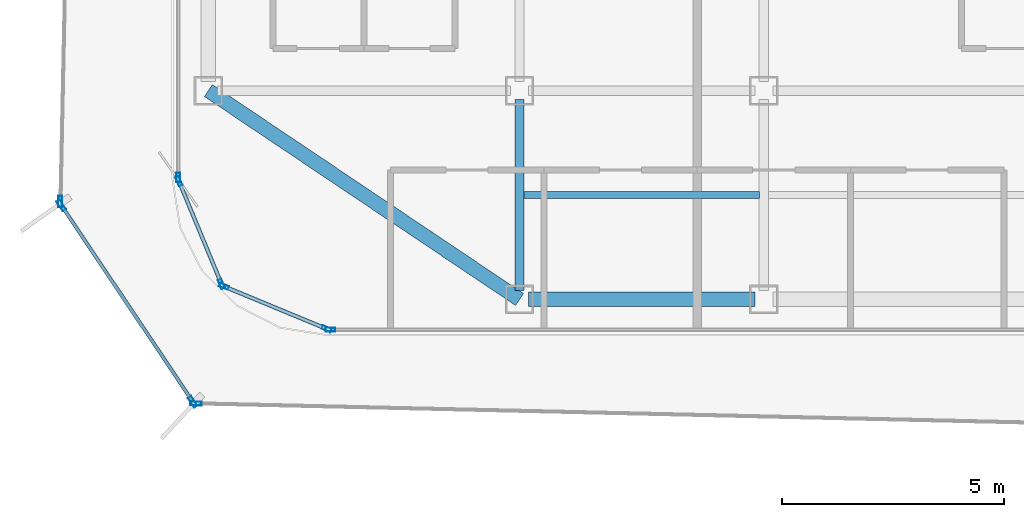
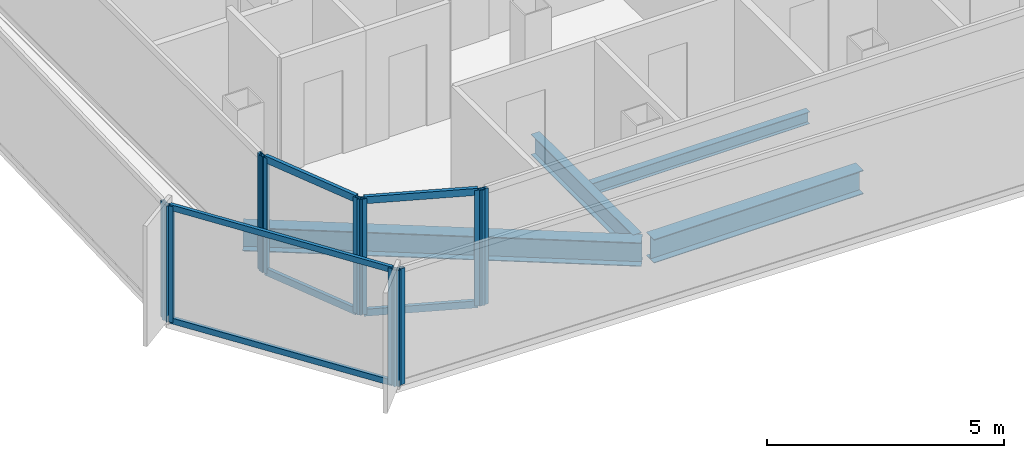
# One storey, part 2 of 15: 16 members, 4 beams, 7 elements without a shape of their own.
"""IFC4 building model written with IfcOpenShell, lengths in metres."""

from ifc_helpers import new_model, si_unit, direction, frame, origin, origin_2d, place, context, subcontext, project, spatial, hollow_rectangle, i_section, extrude, source, transform, mapped, material, layer, layer_set, material_profile, profile_set, type_object, element, aggregate, save


model = new_model("IFC4")

# Units and contexts
model_context = context("Model", 3, precision=1e-05, world=origin(), true_north=direction((0.0, 1.0)))
body_context = subcontext(model_context, "Body", "Model", "MODEL_VIEW")
ifc_project = project(units=[si_unit("LENGTHUNIT", "METRE"), si_unit("AREAUNIT", "SQUARE_METRE"), si_unit("VOLUMEUNIT", "CUBIC_METRE"), si_unit("PLANEANGLEUNIT", "RADIAN"), si_unit("MASSUNIT", "GRAM", prefix="KILO")], contexts=[model_context])

# Site, building, storey
site_placement = place(None, origin())
site = spatial("IfcSite", under=ifc_project, at=site_placement, CompositionType="ELEMENT")
building_placement = place(site_placement, origin())
building = spatial("IfcBuilding", under=site, at=building_placement, Name="Kolveth Station Tower", CompositionType="ELEMENT")
storey_placement = place(building_placement, frame((0.0, 0.0, 255.300048828125)))
storey = spatial("IfcBuildingStorey", under=building, at=storey_placement, Name="L73", CompositionType="ELEMENT", Elevation=255.300048828125)

# Beams
ifc_material_1 = material(Name="Steel S355", Category="steel")
ifc_material_profile_1 = material_profile(ifc_material_1, i_section(OverallWidth=0.323974609375, OverallDepth=0.611083984375, WebThickness=0.0126953125, FlangeThickness=0.01904296875, at=origin_2d()), Name="W610x155")
ifc_profile_set_1 = profile_set([ifc_material_profile_1], Name="Steel S355")
beam_type_1 = type_object("IfcBeamType", Name="Beam_SP2", PredefinedType="SPANDREL", material=ifc_profile_set_1)
shared_shape_1 = source(origin(), body_context, "Body", "SweptSolid", [
    extrude(i_section(OverallWidth=0.323974609375, OverallDepth=0.611083984375, WebThickness=0.0126953125, FlangeThickness=0.01904296875, at=origin_2d()), origin(), (0.0, 0.0, 1.0), 8.431396484375),
])
beam_1_placement = place(storey_placement, frame((6.0, 5.5, -0.525634765625), z_axis=(0.830223811004, -0.557430196206, 0.0), x_axis=(0.557430196206, 0.830223811004, 0.0)))
element("IfcBeam", 1, at=beam_1_placement, inside=storey, type_object=beam_type_1, Name="L73 Corner Edge Girder BM-L73-CNR-SW", PredefinedType="SPANDREL", context=body_context, shape_type="MappedRepresentation", body=[
    mapped(shared_shape_1, transform((0.0, 0.0, 0.0), x_axis=(1.0, 0.0, 0.0), y_axis=(0.0, 1.0, 0.0), z_axis=(0.0, 0.0, 1.0), scale=1.0)),
])
shared_shape_2 = source(origin(), body_context, "Body", "SweptSolid", [
    extrude(i_section(OverallWidth=0.323974609375, OverallDepth=0.611083984375, WebThickness=0.0126953125, FlangeThickness=0.01904296875, at=origin_2d()), origin(), (0.0, 0.0, 1.0), 5.10009765625),
])
beam_2_placement = place(storey_placement, frame((13.199951171875, 0.800048828125, -0.525634765625), z_axis=(1.0, 0.0, 0.0), x_axis=(0.0, 1.0, 0.0)))
element("IfcBeam", 2, at=beam_2_placement, inside=storey, type_object=beam_type_1, Name="L73 Perimeter Spandrel BM-L73-PS-1", PredefinedType="SPANDREL", context=body_context, shape_type="MappedRepresentation", body=[
    mapped(shared_shape_2, transform((0.0, 0.0, 0.0), x_axis=(1.0, 0.0, 0.0), y_axis=(0.0, 1.0, 0.0), z_axis=(0.0, 0.0, 1.0), scale=1.0)),
])
ifc_material_profile_2 = material_profile(ifc_material_1, i_section(OverallWidth=0.2099609375, OverallDepth=0.537109375, WebThickness=0.010986328125, FlangeThickness=0.017333984375, at=origin_2d()), Name="W530x101")
ifc_profile_set_2 = profile_set([ifc_material_profile_2], Name="Steel S355")
beam_type_2 = type_object("IfcBeamType", Name="Beam_B6", PredefinedType="BEAM", material=ifc_profile_set_2)
shared_shape_3 = source(origin(), body_context, "Body", "SweptSolid", [
    extrude(i_section(OverallWidth=0.2099609375, OverallDepth=0.537109375, WebThickness=0.010986328125, FlangeThickness=0.017333984375, at=origin_2d()), origin(), (0.0, 0.0, 1.0), 4.300048828125),
])
beam_3_placement = place(storey_placement, frame((13.0, 1.0, -0.488525390625), z_axis=(0.0, 1.0, 0.0), x_axis=(-1.0, 0.0, 0.0)))
element("IfcBeam", 3, at=beam_3_placement, inside=storey, type_object=beam_type_2, Name="L73 Primary Girder BM-L73-GX130-1", PredefinedType="BEAM", context=body_context, shape_type="MappedRepresentation", body=[
    mapped(shared_shape_3, transform((0.0, 0.0, 0.0), x_axis=(1.0, 0.0, 0.0), y_axis=(0.0, 1.0, 0.0), z_axis=(0.0, 0.0, 1.0), scale=1.0)),
])
ifc_material_profile_3 = material_profile(ifc_material_1, i_section(OverallWidth=0.1650390625, OverallDepth=0.31005859375, WebThickness=0.005859375, FlangeThickness=0.009765625, at=origin_2d()), Name="W310x39")
ifc_profile_set_3 = profile_set([ifc_material_profile_3], Name="Steel S355")
beam_type_3 = type_object("IfcBeamType", Name="Beam_J3", PredefinedType="JOIST", material=ifc_profile_set_3)
shared_shape_4 = source(origin(), body_context, "Body", "SweptSolid", [
    extrude(i_section(OverallWidth=0.1650390625, OverallDepth=0.31005859375, WebThickness=0.005859375, FlangeThickness=0.009765625, at=origin_2d()), origin(), (0.0, 0.0, 1.0), 5.2939453125),
])
beam_4_placement = place(storey_placement, frame((13.10302734375, 3.14990234375, -0.375), z_axis=(1.0, 0.0, 0.0), x_axis=(0.0, 1.0, 0.0)))
element("IfcBeam", 4, at=beam_4_placement, inside=storey, type_object=beam_type_3, Name="L73 Secondary Joist JST-L73-2-1", PredefinedType="JOIST", context=body_context, shape_type="MappedRepresentation", body=[
    mapped(shared_shape_4, transform((0.0, 0.0, 0.0), x_axis=(1.0, 0.0, 0.0), y_axis=(0.0, 1.0, 0.0), z_axis=(0.0, 0.0, 1.0), scale=1.0)),
])

# Curtain wall, member
ifc_material_2 = material(Name="Black anodized aluminium 6063-T6 and dark solar glass", Category="aluminium")
ifc_layer_1 = layer(ifc_material_2, 0.159912109375)
ifc_layer_set_1 = layer_set([ifc_layer_1], Name="Black anodized aluminium 6063-T6 and dark solar glass")
curtain_wall_type_1 = type_object("IfcCurtainWallType", Name="OUTER SKIN CW-OS", PredefinedType="NOTDEFINED", material=ifc_layer_set_1)
curtain_wall_1_placement = place(storey_placement, origin())
curtain_wall_1 = element("IfcCurtainWall", 5, at=curtain_wall_1_placement, inside=storey, type_object=curtain_wall_type_1, Name="L73 Outer Ventilated Skin Curtain Wall 6", PredefinedType="NOTDEFINED")
ifc_material_3 = material(Name="Black anodized aluminium 6063-T6", Category="aluminium")
ifc_material_profile_4 = material_profile(ifc_material_3, hollow_rectangle(XDim=0.090087890625, YDim=0.260009765625, WallThickness=0.0048828125, at=origin_2d()), Name="ALU-90x260x5")
ifc_profile_set_4 = profile_set([ifc_material_profile_4], Name="Black anodized aluminium 6063-T6")
member_type_1 = type_object("IfcMemberType", Name="FIN MULLION ML-OS", PredefinedType="MULLION", material=ifc_profile_set_4)
shared_shape_5 = source(origin(), body_context, "Body", "SweptSolid", [
    extrude(hollow_rectangle(XDim=0.090087890625, YDim=0.260009765625, WallThickness=0.0048828125, at=origin_2d()), origin(), (0.0, 0.0, 1.0), 2.989990234375),
])
member_1_placement = place(storey_placement, frame((2.664794921875, 3.0, 0.0), z_axis=(0.0, 0.0, 1.0), x_axis=(0.999781025361, -0.02092609205, 0.0)))
member_1 = element("IfcMember", 6, at=member_1_placement, type_object=member_type_1, Name="CW-OS mullion 2", PredefinedType="MULLION", context=body_context, shape_type="MappedRepresentation", body=[
    mapped(shared_shape_5, transform((0.0, 0.0, 0.0), x_axis=(1.0, 0.0, 0.0), y_axis=(0.0, 1.0, 0.0), z_axis=(0.0, 0.0, 1.0), scale=1.0)),
])
aggregate(curtain_wall_1, [member_1])

# Curtain wall, members
curtain_wall_2_placement = place(storey_placement, origin())
curtain_wall_2 = element("IfcCurtainWall", 7, at=curtain_wall_2_placement, inside=storey, type_object=curtain_wall_type_1, Name="L73 Outer Ventilated Skin Curtain Wall 7", PredefinedType="NOTDEFINED")
member_2_placement = place(storey_placement, frame((2.68896484375, 2.917724609375, 0.0), z_axis=(0.0, 0.0, 1.0), x_axis=(0.831093731185, 0.556132367324, 0.0)))
member_2 = element("IfcMember", 8, at=member_2_placement, type_object=member_type_1, Name="CW-OS mullion 1", PredefinedType="MULLION", context=body_context, shape_type="MappedRepresentation", body=[
    mapped(shared_shape_5, transform((0.0, 0.0, 0.0), x_axis=(1.0, 0.0, 0.0), y_axis=(0.0, 1.0, 0.0), z_axis=(0.0, 0.0, 1.0), scale=1.0)),
])
member_3_placement = place(storey_placement, frame((5.648193359375, -1.50439453125, 0.0), z_axis=(0.0, 0.0, 1.0), x_axis=(0.831093731185, 0.556132367324, 0.0)))
member_3 = element("IfcMember", 9, at=member_3_placement, type_object=member_type_1, Name="CW-OS mullion 2", PredefinedType="MULLION", context=body_context, shape_type="MappedRepresentation", body=[
    mapped(shared_shape_5, transform((0.0, 0.0, 0.0), x_axis=(1.0, 0.0, 0.0), y_axis=(0.0, 1.0, 0.0), z_axis=(0.0, 0.0, 1.0), scale=1.0)),
])

# Curtain wall, member
curtain_wall_3_placement = place(storey_placement, origin())
curtain_wall_3 = element("IfcCurtainWall", 10, at=curtain_wall_3_placement, inside=storey, type_object=curtain_wall_type_1, Name="L73 Outer Ventilated Skin Curtain Wall 8", PredefinedType="NOTDEFINED")
member_4_placement = place(storey_placement, frame((5.718017578125, -1.54296875, 0.0), z_axis=(0.0, 0.0, 1.0), x_axis=(0.023011252601, 0.999735206069, 0.0)))
member_4 = element("IfcMember", 11, at=member_4_placement, type_object=member_type_1, Name="CW-OS mullion 1", PredefinedType="MULLION", context=body_context, shape_type="MappedRepresentation", body=[
    mapped(shared_shape_5, transform((0.0, 0.0, 0.0), x_axis=(1.0, 0.0, 0.0), y_axis=(0.0, 1.0, 0.0), z_axis=(0.0, 0.0, 1.0), scale=1.0)),
])
aggregate(curtain_wall_3, [member_4])

ifc_material_4 = material(Name="Aluminium 6063-T6 and triple low-E dark glass", Category="aluminium")
ifc_layer_2 = layer(ifc_material_4, 0.199951171875)
ifc_layer_set_2 = layer_set([ifc_layer_2], Name="Aluminium 6063-T6 and triple low-E dark glass")
curtain_wall_type_2 = type_object("IfcCurtainWallType", Name="CurtainWall_CW-Z3", PredefinedType="NOTDEFINED", material=ifc_layer_set_2)
curtain_wall_4_placement = place(storey_placement, origin())
curtain_wall_4 = element("IfcCurtainWall", 12, at=curtain_wall_4_placement, inside=storey, type_object=curtain_wall_type_2, Name="L73 Inner Thermal Curtain Wall 9", PredefinedType="NOTDEFINED")
ifc_material_profile_5 = material_profile(ifc_material_3, hollow_rectangle(XDim=0.0849609375, YDim=0.215087890625, WallThickness=0.0048828125, at=origin_2d()), Name="ALU-85x215x5")
ifc_profile_set_5 = profile_set([ifc_material_profile_5], Name="Black anodized aluminium 6063-T6")
member_type_2 = type_object("IfcMemberType", Name="Mullion_ML3", PredefinedType="MULLION", material=ifc_profile_set_5)
shared_shape_6 = source(origin(), body_context, "Body", "SweptSolid", [
    extrude(hollow_rectangle(XDim=0.0849609375, YDim=0.215087890625, WallThickness=0.0048828125, at=origin_2d()), origin(), (0.0, 0.0, 1.0), 2.97998046875),
])
member_5_placement = place(storey_placement, frame((5.320068359375, 3.54248046875, 0.0), z_axis=(0.0, 0.0, 1.0), x_axis=(1.0, 0.0, 0.0)))
member_5 = element("IfcMember", 13, at=member_5_placement, type_object=member_type_2, Name="CW-Z3 mullion 2", PredefinedType="MULLION", context=body_context, shape_type="MappedRepresentation", body=[
    mapped(shared_shape_6, transform((0.0, 0.0, 0.0), x_axis=(1.0, 0.0, 0.0), y_axis=(0.0, 1.0, 0.0), z_axis=(0.0, 0.0, 1.0), scale=1.0)),
])
aggregate(curtain_wall_4, [member_5])

# Curtain wall, members
curtain_wall_5_placement = place(storey_placement, origin())
curtain_wall_5 = element("IfcCurtainWall", 14, at=curtain_wall_5_placement, inside=storey, type_object=curtain_wall_type_2, Name="L73 Inner Thermal Curtain Wall 10", PredefinedType="NOTDEFINED")
member_6_placement = place(storey_placement, frame((5.336181640625, 3.460693359375, 0.0), z_axis=(0.0, 0.0, 1.0), x_axis=(0.923875488975, 0.382693194181, 0.0)))
member_6 = element("IfcMember", 15, at=member_6_placement, type_object=member_type_2, Name="CW-Z3 mullion 1", PredefinedType="MULLION", context=body_context, shape_type="MappedRepresentation", body=[
    mapped(shared_shape_6, transform((0.0, 0.0, 0.0), x_axis=(1.0, 0.0, 0.0), y_axis=(0.0, 1.0, 0.0), z_axis=(0.0, 0.0, 1.0), scale=1.0)),
])
member_7_placement = place(storey_placement, frame((6.293701171875, 1.149169921875, 0.0), z_axis=(0.0, 0.0, 1.0), x_axis=(0.923875488975, 0.382693194181, 0.0)))
member_7 = element("IfcMember", 16, at=member_7_placement, type_object=member_type_2, Name="CW-Z3 mullion 2", PredefinedType="MULLION", context=body_context, shape_type="MappedRepresentation", body=[
    mapped(shared_shape_6, transform((0.0, 0.0, 0.0), x_axis=(1.0, 0.0, 0.0), y_axis=(0.0, 1.0, 0.0), z_axis=(0.0, 0.0, 1.0), scale=1.0)),
])

curtain_wall_6_placement = place(storey_placement, origin())
curtain_wall_6 = element("IfcCurtainWall", 17, at=curtain_wall_6_placement, inside=storey, type_object=curtain_wall_type_2, Name="L73 Inner Thermal Curtain Wall 11", PredefinedType="NOTDEFINED")
member_8_placement = place(storey_placement, frame((6.349365234375, 1.09375, 0.0), z_axis=(0.0, 0.0, 1.0), x_axis=(0.382693194181, 0.923875488975, 0.0)))
member_8 = element("IfcMember", 18, at=member_8_placement, type_object=member_type_2, Name="CW-Z3 mullion 1", PredefinedType="MULLION", context=body_context, shape_type="MappedRepresentation", body=[
    mapped(shared_shape_6, transform((0.0, 0.0, 0.0), x_axis=(1.0, 0.0, 0.0), y_axis=(0.0, 1.0, 0.0), z_axis=(0.0, 0.0, 1.0), scale=1.0)),
])
member_9_placement = place(storey_placement, frame((8.66064453125, 0.13623046875, 0.0), z_axis=(0.0, 0.0, 1.0), x_axis=(0.382693194181, 0.923875488975, 0.0)))
member_9 = element("IfcMember", 19, at=member_9_placement, type_object=member_type_2, Name="CW-Z3 mullion 2", PredefinedType="MULLION", context=body_context, shape_type="MappedRepresentation", body=[
    mapped(shared_shape_6, transform((0.0, 0.0, 0.0), x_axis=(1.0, 0.0, 0.0), y_axis=(0.0, 1.0, 0.0), z_axis=(0.0, 0.0, 1.0), scale=1.0)),
])

# Curtain wall, member
curtain_wall_7_placement = place(storey_placement, origin())
curtain_wall_7 = element("IfcCurtainWall", 20, at=curtain_wall_7_placement, inside=storey, type_object=curtain_wall_type_2, Name="L73 Inner Thermal Curtain Wall 12", PredefinedType="NOTDEFINED")
member_10_placement = place(storey_placement, frame((8.742431640625, 0.1201171875, 0.0), z_axis=(0.0, 0.0, 1.0), x_axis=(0.0, 1.0, 0.0)))
member_10 = element("IfcMember", 21, at=member_10_placement, type_object=member_type_2, Name="CW-Z3 mullion 1", PredefinedType="MULLION", context=body_context, shape_type="MappedRepresentation", body=[
    mapped(shared_shape_6, transform((0.0, 0.0, 0.0), x_axis=(1.0, 0.0, 0.0), y_axis=(0.0, 1.0, 0.0), z_axis=(0.0, 0.0, 1.0), scale=1.0)),
])
aggregate(curtain_wall_7, [member_10])

# Member
ifc_material_profile_6 = material_profile(ifc_material_3, hollow_rectangle(XDim=0.0849609375, YDim=0.179931640625, WallThickness=0.0048828125, at=origin_2d()), Name="ALU-85x180x5")
ifc_profile_set_6 = profile_set([ifc_material_profile_6], Name="Black anodized aluminium 6063-T6")
member_type_3 = type_object("IfcMemberType", Name="Transom_TR3", PredefinedType="USERDEFINED", material=ifc_profile_set_6)
shared_shape_7 = source(origin(), body_context, "Body", "SweptSolid", [
    extrude(hollow_rectangle(XDim=0.0849609375, YDim=0.179931640625, WallThickness=0.0048828125, at=origin_2d()), origin(), (0.0, 0.0, 1.0), 2.4169921875),
])
member_11_placement = place(storey_placement, frame((5.3525390625, 3.42138671875, 0.04248046875), z_axis=(0.382735401206, -0.9238580046, 0.0), x_axis=(0.9238580046, 0.382735401206, 0.0)))
member_11 = element("IfcMember", 22, at=member_11_placement, type_object=member_type_3, Name="CW-Z3 transom 1.1", ObjectType="TRANSOM", PredefinedType="USERDEFINED", context=body_context, shape_type="MappedRepresentation", body=[
    mapped(shared_shape_7, transform((0.0, 0.0, 0.0), x_axis=(1.0, 0.0, 0.0), y_axis=(0.0, 1.0, 0.0), z_axis=(0.0, 0.0, 1.0), scale=1.0)),
])

member_12_placement = place(storey_placement, frame((5.3525390625, 3.42138671875, 2.9375), z_axis=(0.382735401206, -0.9238580046, 0.0), x_axis=(0.9238580046, 0.382735401206, 0.0)))
member_12 = element("IfcMember", 23, at=member_12_placement, type_object=member_type_3, Name="CW-Z3 transom 1.2", ObjectType="TRANSOM", PredefinedType="USERDEFINED", context=body_context, shape_type="MappedRepresentation", body=[
    mapped(shared_shape_7, transform((0.0, 0.0, 0.0), x_axis=(1.0, 0.0, 0.0), y_axis=(0.0, 1.0, 0.0), z_axis=(0.0, 0.0, 1.0), scale=1.0)),
])

aggregate(curtain_wall_5, [member_6, member_7, member_11, member_12])

member_13_placement = place(storey_placement, frame((6.388427734375, 1.077392578125, 0.04248046875), z_axis=(0.923908507952, -0.382613471971, 0.0), x_axis=(0.382613471971, 0.923908507952, 0.0)))
member_13 = element("IfcMember", 24, at=member_13_placement, type_object=member_type_3, Name="CW-Z3 transom 1.1", ObjectType="TRANSOM", PredefinedType="USERDEFINED", context=body_context, shape_type="MappedRepresentation", body=[
    mapped(shared_shape_7, transform((0.0, 0.0, 0.0), x_axis=(1.0, 0.0, 0.0), y_axis=(0.0, 1.0, 0.0), z_axis=(0.0, 0.0, 1.0), scale=1.0)),
])

member_14_placement = place(storey_placement, frame((6.388427734375, 1.077392578125, 2.9375), z_axis=(0.923908507952, -0.382613471971, 0.0), x_axis=(0.382613471971, 0.923908507952, 0.0)))
member_14 = element("IfcMember", 25, at=member_14_placement, type_object=member_type_3, Name="CW-Z3 transom 1.2", ObjectType="TRANSOM", PredefinedType="USERDEFINED", context=body_context, shape_type="MappedRepresentation", body=[
    mapped(shared_shape_7, transform((0.0, 0.0, 0.0), x_axis=(1.0, 0.0, 0.0), y_axis=(0.0, 1.0, 0.0), z_axis=(0.0, 0.0, 1.0), scale=1.0)),
])

aggregate(curtain_wall_6, [member_8, member_9, member_13, member_14])

ifc_material_profile_7 = material_profile(ifc_material_3, hollow_rectangle(XDim=0.080078125, YDim=0.14990234375, WallThickness=0.0048828125, at=origin_2d()), Name="ALU-80x150x5")
ifc_profile_set_7 = profile_set([ifc_material_profile_7], Name="Black anodized aluminium 6063-T6")
member_type_4 = type_object("IfcMemberType", Name="Transom_TR-OS", PredefinedType="USERDEFINED", material=ifc_profile_set_7)
shared_shape_8 = source(origin(), body_context, "Body", "SweptSolid", [
    extrude(hollow_rectangle(XDim=0.080078125, YDim=0.14990234375, WallThickness=0.0048828125, at=origin_2d()), origin(), (0.0, 0.0, 1.0), 5.23095703125),
])
member_15_placement = place(storey_placement, frame((2.7138671875, 2.88037109375, 0.0400390625), z_axis=(0.556142601142, -0.83108688306, 0.0), x_axis=(0.83108688306, 0.556142601142, 0.0)))
member_15 = element("IfcMember", 26, at=member_15_placement, type_object=member_type_4, Name="CW-OS transom 1.1", ObjectType="TRANSOM", PredefinedType="USERDEFINED", context=body_context, shape_type="MappedRepresentation", body=[
    mapped(shared_shape_8, transform((0.0, 0.0, 0.0), x_axis=(1.0, 0.0, 0.0), y_axis=(0.0, 1.0, 0.0), z_axis=(0.0, 0.0, 1.0), scale=1.0)),
])

member_16_placement = place(storey_placement, frame((2.7138671875, 2.88037109375, 2.949951171875), z_axis=(0.556142601142, -0.83108688306, 0.0), x_axis=(0.83108688306, 0.556142601142, 0.0)))
member_16 = element("IfcMember", 27, at=member_16_placement, type_object=member_type_4, Name="CW-OS transom 1.2", ObjectType="TRANSOM", PredefinedType="USERDEFINED", context=body_context, shape_type="MappedRepresentation", body=[
    mapped(shared_shape_8, transform((0.0, 0.0, 0.0), x_axis=(1.0, 0.0, 0.0), y_axis=(0.0, 1.0, 0.0), z_axis=(0.0, 0.0, 1.0), scale=1.0)),
])

aggregate(curtain_wall_2, [member_2, member_3, member_15, member_16])

save(model, "model.ifc")
